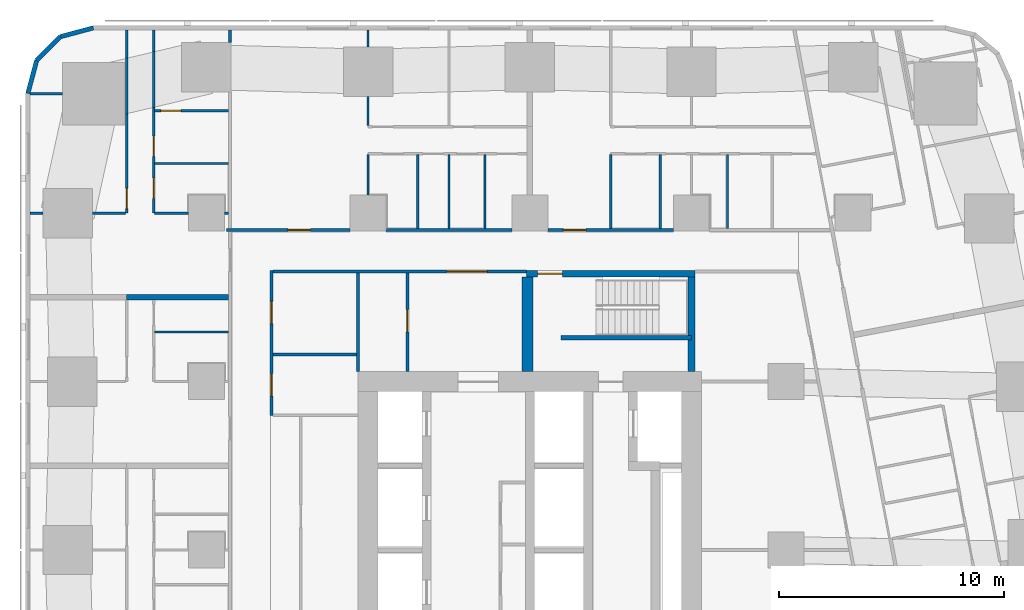
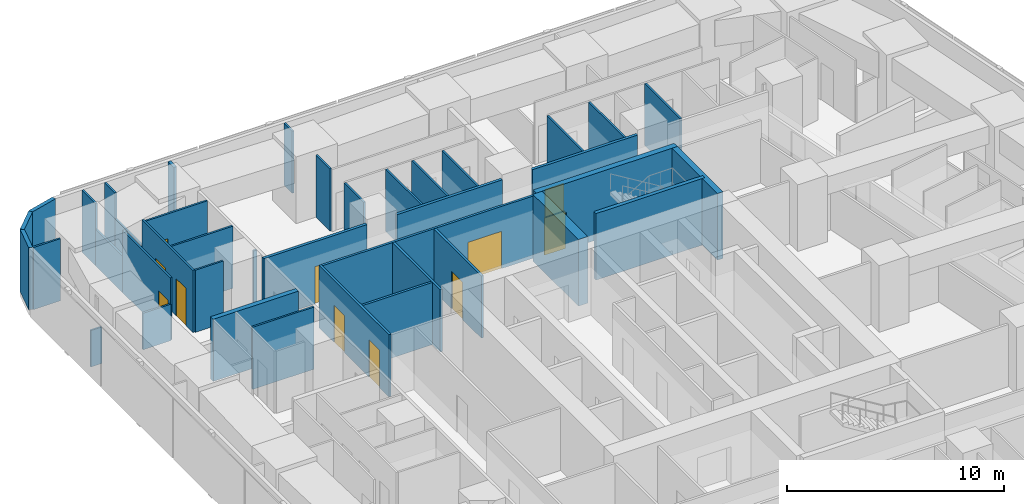
# One storey, part 8 of 15: 40 walls, 11 doors, 11 openings.
"""IFC4 building model written with IfcOpenShell, lengths in metres."""

from ifc_helpers import new_model, si_unit, direction, frame, frame_2d, origin, place, context, subcontext, project, spatial, rectangle, extrude, material, layer, layer_set, type_object, element, fill, save


model = new_model("IFC4")

# Units and contexts
model_context = context("Model", 3, precision=1e-05, world=origin(), true_north=direction((0.0, 1.0)))
body_context = subcontext(model_context, "Body", "Model", "MODEL_VIEW")
ifc_project = project(units=[si_unit("LENGTHUNIT", "METRE"), si_unit("AREAUNIT", "SQUARE_METRE"), si_unit("VOLUMEUNIT", "CUBIC_METRE"), si_unit("PLANEANGLEUNIT", "RADIAN"), si_unit("MASSUNIT", "GRAM", prefix="KILO")], contexts=[model_context])

# Site, building, storey
site_placement = place(None, origin())
site = spatial("IfcSite", under=ifc_project, at=site_placement, CompositionType="ELEMENT")
building_placement = place(site_placement, origin())
building = spatial("IfcBuilding", under=site, at=building_placement, Name="Sheger Commons Tower", CompositionType="ELEMENT")
storey_placement = place(building_placement, frame((0.0, 0.0, 104.14990234375)))
storey = spatial("IfcBuildingStorey", under=building, at=storey_placement, Name="L26", CompositionType="ELEMENT", Elevation=104.14990234375)

# Wall
ifc_material_1 = material(Name="Hollow concrete block masonry, skimmed both sides", Category="masonry")
ifc_layer_1 = layer(ifc_material_1, 0.14990234375)
ifc_layer_set_1 = layer_set([ifc_layer_1], Name="CORRIDOR WALL 150")
wall_type_1 = type_object("IfcWallType", Name="CORRIDOR WALL 150", PredefinedType="SOLIDWALL", material=ifc_layer_set_1)
wall_1_placement = place(storey_placement, frame((8.25, 45.10107421875, 0.0), z_axis=(0.0, 0.0, 1.0), x_axis=(0.0, 1.0, 0.0)))
element("IfcWall", 1, at=wall_1_placement, inside=storey, type_object=wall_type_1, Name="Corridor wall L26", PredefinedType="SOLIDWALL", context=body_context, shape_type="SweptSolid", body=[
    extrude(rectangle(XDim=0.548828125, YDim=0.14990234375, at=frame_2d((0.2744140625, 0.0))), origin(), (0.0, 0.0, 1.0), 3.5),
])

# Wall, opening, door
wall_2_placement = place(storey_placement, frame((8.10009765625, 36.75, 0.0), z_axis=(0.0, 0.0, 1.0), x_axis=(1.0, 0.0, 0.0)))
wall_2 = element("IfcWall", 2, at=wall_2_placement, inside=storey, type_object=wall_type_1, Name="Corridor wall L26", PredefinedType="SOLIDWALL", context=body_context, shape_type="SweptSolid", body=[
    extrude(rectangle(XDim=5.4990234375, YDim=0.14990234375, at=frame_2d((2.74951171875, 0.0))), origin(), (0.0, 0.0, 1.0), 3.5),
])
opening_1_placement = place(wall_2_placement, frame((2.72509765625, 0.0, 0.0)))
opening_1 = element("IfcOpeningElement", 3, at=opening_1_placement, cuts=wall_2, Name="Opening D1", PredefinedType="OPENING", context=body_context, shape_type="SweptSolid", body=[
    extrude(rectangle(XDim=1.0, YDim=2.10009765625, at=frame_2d((0.5, 1.050048828125))), frame((0.0, 0.0849609375, 0.0), z_axis=(0.0, -1.0, 0.0), x_axis=(1.0, 0.0, 0.0)), (0.0, 0.0, 1.0), 0.169921875),
])
ifc_material_2 = material(Name="Steel door set, fire rated", Category="steel")
door_type_1 = type_object("IfcDoorType", Name="FLAT ENTRANCE DOOR 1000x2100", OperationType="NOTDEFINED", PredefinedType="DOOR", material=ifc_material_2)
door_1_placement = place(opening_1_placement, origin())
door_1 = element("IfcDoor", 4, at=door_1_placement, inside=storey, type_object=door_type_1, Name="Flat entrance door", OperationType="SINGLE_SWING_LEFT", OverallHeight=2.10009765625, OverallWidth=1.0, PredefinedType="DOOR", context=body_context, shape_type="SweptSolid", body=[
    extrude(rectangle(XDim=1.0, YDim=2.10009765625, at=frame_2d((0.5, 1.050048828125))), frame((0.0, 0.02490234375, 0.0), z_axis=(0.0, -1.0, 0.0), x_axis=(1.0, 0.0, 0.0)), (0.0, 0.0, 1.0), 0.050048828125),
])
fill(opening_1, door_1)

# Wall
wall_3_placement = place(storey_placement, frame((15.200927734375, 36.75, 0.0), z_axis=(0.0, 0.0, 1.0), x_axis=(1.0, 0.0, 0.0)))
element("IfcWall", 5, at=wall_3_placement, inside=storey, type_object=wall_type_1, Name="Corridor wall L26", PredefinedType="SOLIDWALL", context=body_context, shape_type="SweptSolid", body=[
    extrude(rectangle(XDim=5.59814453125, YDim=0.14990234375, at=frame_2d((2.799072265625, 0.0))), origin(), (0.0, 0.0, 1.0), 3.5),
])

# Wall, opening, door
wall_4_placement = place(storey_placement, frame((22.40087890625, 36.75, 0.0), z_axis=(0.0, 0.0, 1.0), x_axis=(1.0, 0.0, 0.0)))
wall_4 = element("IfcWall", 6, at=wall_4_placement, inside=storey, type_object=wall_type_1, Name="Corridor wall L26", PredefinedType="SOLIDWALL", context=body_context, shape_type="SweptSolid", body=[
    extrude(rectangle(XDim=5.59814453125, YDim=0.14990234375, at=frame_2d((2.799072265625, 0.0))), origin(), (0.0, 0.0, 1.0), 3.5),
])
opening_2_placement = place(wall_4_placement, frame((0.698974609375, 0.0, 0.0)))
opening_2 = element("IfcOpeningElement", 7, at=opening_2_placement, cuts=wall_4, Name="Opening D1", PredefinedType="OPENING", context=body_context, shape_type="SweptSolid", body=[
    extrude(rectangle(XDim=1.0, YDim=2.10009765625, at=frame_2d((0.5, 1.050048828125))), frame((0.0, 0.0849609375, 0.0), z_axis=(0.0, -1.0, 0.0), x_axis=(1.0, 0.0, 0.0)), (0.0, 0.0, 1.0), 0.169921875),
])
door_2_placement = place(opening_2_placement, origin())
door_2 = element("IfcDoor", 8, at=door_2_placement, inside=storey, type_object=door_type_1, Name="Flat entrance door", OperationType="SINGLE_SWING_LEFT", OverallHeight=2.10009765625, OverallWidth=1.0, PredefinedType="DOOR", context=body_context, shape_type="SweptSolid", body=[
    extrude(rectangle(XDim=1.0, YDim=2.10009765625, at=frame_2d((0.5, 1.050048828125))), frame((0.0, 0.02490234375, 0.0), z_axis=(0.0, -1.0, 0.0), x_axis=(1.0, 0.0, 0.0)), (0.0, 0.0, 1.0), 0.050048828125),
])
fill(opening_2, door_2)

# Walls
ifc_material_3 = material(Name="Dense concrete block masonry, plastered both sides (separating wall between flats)", Category="masonry")
ifc_layer_2 = layer(ifc_material_3, 0.25)
ifc_layer_set_2 = layer_set([ifc_layer_2], Name="DEMISING WALL 250")
wall_type_2 = type_object("IfcWallType", Name="DEMISING WALL 250", PredefinedType="SOLIDWALL", material=ifc_layer_set_2)
wall_5_placement = place(storey_placement, frame((3.64990234375, 33.75, 0.0), z_axis=(0.0, 0.0, 1.0), x_axis=(1.0, 0.0, 0.0)))
element("IfcWall", 9, at=wall_5_placement, inside=storey, type_object=wall_type_2, Name="Demising wall L26", PredefinedType="SOLIDWALL", context=body_context, shape_type="SweptSolid", body=[
    extrude(rectangle(XDim=4.525146484375, YDim=0.25, at=frame_2d((2.2626953125, 0.0))), origin(), (0.0, 0.0, 1.0), 3.5),
])
ifc_material_4 = material(Name="Rendered concrete block masonry, dark grey", Category="masonry")
ifc_layer_3 = layer(ifc_material_4, 0.199951171875)
ifc_layer_set_3 = layer_set([ifc_layer_3], Name="FACADE WALL 200")
wall_type_3 = type_object("IfcWallType", Name="FACADE WALL 200", PredefinedType="SOLIDWALL", material=ifc_layer_set_3)
wall_6_placement = place(storey_placement, frame((2.1630859375, 45.75, 0.0), z_axis=(0.0, 0.0, 1.0), x_axis=(-0.965832000415, -0.259168954497, 0.0)))
element("IfcWall", 10, at=wall_6_placement, inside=storey, type_object=wall_type_3, Name="Facade wall L26", PredefinedType="SOLIDWALL", context=body_context, shape_type="SweptSolid", body=[
    extrude(rectangle(XDim=1.512939453125, YDim=0.199951171875, at=frame_2d((0.75634765625, 0.0))), origin(), (0.0, 0.0, 1.0), 3.5),
])
wall_7_placement = place(storey_placement, frame((0.701904296875, 45.35791015625, 0.0), z_axis=(0.0, 0.0, 1.0), x_axis=(-0.707106781187, -0.707106781187, 0.0)))
element("IfcWall", 11, at=wall_7_placement, inside=storey, type_object=wall_type_3, Name="Facade wall L26", PredefinedType="SOLIDWALL", context=body_context, shape_type="SweptSolid", body=[
    extrude(rectangle(XDim=1.498779296875, YDim=0.199951171875, at=frame_2d((0.74951171875, 0.0))), origin(), (0.0, 0.0, 1.0), 3.5),
])
wall_8_placement = place(storey_placement, frame((-0.35791015625, 44.298095703125, 0.0), z_axis=(0.0, 0.0, 1.0), x_axis=(-0.259168954497, -0.965832000415, 0.0)))
element("IfcWall", 12, at=wall_8_placement, inside=storey, type_object=wall_type_3, Name="Facade wall L26", PredefinedType="SOLIDWALL", context=body_context, shape_type="SweptSolid", body=[
    extrude(rectangle(XDim=1.512939453125, YDim=0.199951171875, at=frame_2d((0.75634765625, 0.0))), origin(), (0.0, 0.0, 1.0), 3.5),
])
ifc_material_5 = material(Name="Gypsum board on steel studs", Category="steel")
ifc_layer_4 = layer(ifc_material_5, 0.10009765625)
ifc_layer_set_4 = layer_set([ifc_layer_4], Name="PARTITION 100")
wall_type_4 = type_object("IfcWallType", Name="PARTITION 100", PredefinedType="PARTITIONING", material=ifc_layer_set_4)
wall_9_placement = place(storey_placement, frame((4.89990234375, 32.2099609375, 0.0), z_axis=(0.0, 0.0, 1.0), x_axis=(1.0, 0.0, 0.0)))
element("IfcWall", 13, at=wall_9_placement, inside=storey, type_object=wall_type_4, Name="Partition L26", PredefinedType="PARTITIONING", context=body_context, shape_type="SweptSolid", body=[
    extrude(rectangle(XDim=3.275146484375, YDim=0.10009765625, at=frame_2d((1.6376953125, 0.0))), origin(), (0.0, 0.0, 1.0), 3.5),
])

# Wall, opening, door
wall_10_placement = place(storey_placement, frame((3.64990234375, 37.5, 0.0), z_axis=(0.0, 0.0, 1.0), x_axis=(0.0, 1.0, 0.0)))
wall_10 = element("IfcWall", 14, at=wall_10_placement, inside=storey, type_object=wall_type_4, Name="Partition L26", PredefinedType="PARTITIONING", context=body_context, shape_type="SweptSolid", body=[
    extrude(rectangle(XDim=4.4150390625, YDim=0.10009765625, at=frame_2d((2.20751953125, 0.0))), origin(), (0.0, 0.0, 1.0), 3.5),
])
opening_3_placement = place(wall_10_placement, frame((0.199951171875, 0.0, 0.0)))
opening_3 = element("IfcOpeningElement", 15, at=opening_3_placement, cuts=wall_10, Name="Opening D2", PredefinedType="OPENING", context=body_context, shape_type="SweptSolid", body=[
    extrude(rectangle(XDim=0.89990234375, YDim=2.10009765625, at=frame_2d((0.449951171875, 1.050048828125))), frame((0.0, 0.06005859375, 0.0), z_axis=(0.0, -1.0, 0.0), x_axis=(1.0, 0.0, 0.0)), (0.0, 0.0, 1.0), 0.1201171875),
])
ifc_material_6 = material(Name="Timber door set", Category="wood")
door_type_2 = type_object("IfcDoorType", Name="INTERNAL DOOR 900x2100", OperationType="NOTDEFINED", PredefinedType="DOOR", material=ifc_material_6)
door_3_placement = place(opening_3_placement, origin())
door_3 = element("IfcDoor", 16, at=door_3_placement, inside=storey, type_object=door_type_2, Name="Main bedroom door", OperationType="SINGLE_SWING_LEFT", OverallHeight=2.10009765625, OverallWidth=0.89990234375, PredefinedType="DOOR", context=body_context, shape_type="SweptSolid", body=[
    extrude(rectangle(XDim=0.89990234375, YDim=2.10009765625, at=frame_2d((0.449951171875, 1.050048828125))), frame((0.0, 0.02490234375, 0.0), z_axis=(0.0, -1.0, 0.0), x_axis=(1.0, 0.0, 0.0)), (0.0, 0.0, 1.0), 0.050048828125),
])
fill(opening_3, door_3)

# Walls
wall_11_placement = place(storey_placement, frame((3.64990234375, 41.9150390625, 0.0), z_axis=(0.0, 0.0, 1.0), x_axis=(0.0, 1.0, 0.0)))
element("IfcWall", 17, at=wall_11_placement, inside=storey, type_object=wall_type_4, Name="Partition L26", PredefinedType="PARTITIONING", context=body_context, shape_type="SweptSolid", body=[
    extrude(rectangle(XDim=2.489990234375, YDim=0.10009765625, at=frame_2d((1.2451171875, 0.0))), origin(), (0.0, 0.0, 1.0), 2.050048828125),
])
wall_12_placement = place(storey_placement, frame((3.64990234375, 44.405029296875, 0.0), z_axis=(0.0, 0.0, 1.0), x_axis=(0.0, 1.0, 0.0)))
element("IfcWall", 18, at=wall_12_placement, inside=storey, type_object=wall_type_4, Name="Partition L26", PredefinedType="PARTITIONING", context=body_context, shape_type="SweptSolid", body=[
    extrude(rectangle(XDim=1.244873046875, YDim=0.10009765625, at=frame_2d((0.62255859375, 0.0))), origin(), (0.0, 0.0, 1.0), 3.5),
])

# Wall, openings, doors
wall_13_placement = place(storey_placement, frame((4.85009765625, 37.5, 0.0), z_axis=(0.0, 0.0, 1.0), x_axis=(0.0, 1.0, 0.0)))
wall_13 = element("IfcWall", 19, at=wall_13_placement, inside=storey, type_object=wall_type_4, Name="Partition L26", PredefinedType="PARTITIONING", context=body_context, shape_type="SweptSolid", body=[
    extrude(rectangle(XDim=4.698974609375, YDim=0.10009765625, at=frame_2d((2.349609375, 0.0))), origin(), (0.0, 0.0, 1.0), 3.5),
])
opening_4_placement = place(wall_13_placement, frame((0.655029296875, 0.0, 0.0)))
opening_4 = element("IfcOpeningElement", 20, at=opening_4_placement, cuts=wall_13, Name="Opening D2", PredefinedType="OPENING", context=body_context, shape_type="SweptSolid", body=[
    extrude(rectangle(XDim=0.89990234375, YDim=2.10009765625, at=frame_2d((0.449951171875, 1.050048828125))), frame((0.0, 0.06005859375, 0.0), z_axis=(0.0, -1.0, 0.0), x_axis=(1.0, 0.0, 0.0)), (0.0, 0.0, 1.0), 0.1201171875),
])
opening_5_placement = place(wall_13_placement, frame((2.530029296875, 0.0, 0.0)))
opening_5 = element("IfcOpeningElement", 21, at=opening_5_placement, cuts=wall_13, Name="Opening D2", PredefinedType="OPENING", context=body_context, shape_type="SweptSolid", body=[
    extrude(rectangle(XDim=0.89990234375, YDim=2.10009765625, at=frame_2d((0.449951171875, 1.050048828125))), frame((0.0, 0.06005859375, 0.0), z_axis=(0.0, -1.0, 0.0), x_axis=(1.0, 0.0, 0.0)), (0.0, 0.0, 1.0), 0.1201171875),
])
door_4_placement = place(opening_4_placement, origin())
door_4 = element("IfcDoor", 22, at=door_4_placement, inside=storey, type_object=door_type_2, Name="Bathroom door", OperationType="SINGLE_SWING_RIGHT", OverallHeight=2.10009765625, OverallWidth=0.89990234375, PredefinedType="DOOR", context=body_context, shape_type="SweptSolid", body=[
    extrude(rectangle(XDim=0.89990234375, YDim=2.10009765625, at=frame_2d((0.449951171875, 1.050048828125))), frame((0.0, 0.02490234375, 0.0), z_axis=(0.0, -1.0, 0.0), x_axis=(1.0, 0.0, 0.0)), (0.0, 0.0, 1.0), 0.050048828125),
])
fill(opening_4, door_4)
door_5_placement = place(opening_5_placement, origin())
door_5 = element("IfcDoor", 23, at=door_5_placement, inside=storey, type_object=door_type_2, Name="Store door", OperationType="SINGLE_SWING_RIGHT", OverallHeight=2.10009765625, OverallWidth=0.89990234375, PredefinedType="DOOR", context=body_context, shape_type="SweptSolid", body=[
    extrude(rectangle(XDim=0.89990234375, YDim=2.10009765625, at=frame_2d((0.449951171875, 1.050048828125))), frame((0.0, 0.02490234375, 0.0), z_axis=(0.0, -1.0, 0.0), x_axis=(1.0, 0.0, 0.0)), (0.0, 0.0, 1.0), 0.050048828125),
])
fill(opening_5, door_5)

# Walls
wall_14_placement = place(storey_placement, frame((4.85009765625, 42.198974609375, 0.0), z_axis=(0.0, 0.0, 1.0), x_axis=(0.0, 1.0, 0.0)))
element("IfcWall", 24, at=wall_14_placement, inside=storey, type_object=wall_type_4, Name="Partition L26", PredefinedType="PARTITIONING", context=body_context, shape_type="SweptSolid", body=[
    extrude(rectangle(XDim=2.489990234375, YDim=0.10009765625, at=frame_2d((1.2451171875, 0.0))), origin(), (0.0, 0.0, 1.0), 2.050048828125),
])
wall_15_placement = place(storey_placement, frame((4.85009765625, 44.68896484375, 0.0), z_axis=(0.0, 0.0, 1.0), x_axis=(0.0, 1.0, 0.0)))
element("IfcWall", 25, at=wall_15_placement, inside=storey, type_object=wall_type_4, Name="Partition L26", PredefinedType="PARTITIONING", context=body_context, shape_type="SweptSolid", body=[
    extrude(rectangle(XDim=0.9609375, YDim=0.10009765625, at=frame_2d((0.48046875, 0.0))), origin(), (0.0, 0.0, 1.0), 3.5),
])
wall_16_placement = place(storey_placement, frame((-0.64990234375, 37.5, 0.0), z_axis=(0.0, 0.0, 1.0), x_axis=(1.0, 0.0, 0.0)))
element("IfcWall", 26, at=wall_16_placement, inside=storey, type_object=wall_type_4, Name="Partition L26", PredefinedType="PARTITIONING", context=body_context, shape_type="SweptSolid", body=[
    extrude(rectangle(XDim=0.573974609375, YDim=0.10009765625, at=frame_2d((0.287109375, 0.0))), origin(), (0.0, 0.0, 1.0), 2.050048828125),
])
wall_17_placement = place(storey_placement, frame((2.1259765625, 37.5, 0.0), z_axis=(0.0, 0.0, 1.0), x_axis=(1.0, 0.0, 0.0)))
element("IfcWall", 27, at=wall_17_placement, inside=storey, type_object=wall_type_4, Name="Partition L26", PredefinedType="PARTITIONING", context=body_context, shape_type="SweptSolid", body=[
    extrude(rectangle(XDim=1.47412109375, YDim=0.10009765625, at=frame_2d((0.737060546875, 0.0))), origin(), (0.0, 0.0, 1.0), 2.050048828125),
])
wall_18_placement = place(storey_placement, frame((-0.64990234375, 42.81396484375, 0.0), z_axis=(0.0, 0.0, 1.0), x_axis=(1.0, 0.0, 0.0)))
element("IfcWall", 28, at=wall_18_placement, inside=storey, type_object=wall_type_4, Name="Partition L26", PredefinedType="PARTITIONING", context=body_context, shape_type="SweptSolid", body=[
    extrude(rectangle(XDim=1.434814453125, YDim=0.10009765625, at=frame_2d((0.71728515625, 0.0))), origin(), (0.0, 0.0, 1.0), 3.5),
])
wall_19_placement = place(storey_placement, frame((4.89990234375, 37.5, 0.0), z_axis=(0.0, 0.0, 1.0), x_axis=(1.0, 0.0, 0.0)))
element("IfcWall", 29, at=wall_19_placement, inside=storey, type_object=wall_type_4, Name="Partition L26", PredefinedType="PARTITIONING", context=body_context, shape_type="SweptSolid", body=[
    extrude(rectangle(XDim=1.4990234375, YDim=0.10009765625, at=frame_2d((0.74951171875, 0.0))), origin(), (0.0, 0.0, 1.0), 3.5),
])
wall_20_placement = place(storey_placement, frame((8.0009765625, 37.5, 0.0), z_axis=(0.0, 0.0, 1.0), x_axis=(1.0, 0.0, 0.0)))
element("IfcWall", 30, at=wall_20_placement, inside=storey, type_object=wall_type_4, Name="Partition L26", PredefinedType="PARTITIONING", context=body_context, shape_type="SweptSolid", body=[
    extrude(rectangle(XDim=0.174072265625, YDim=0.10009765625, at=frame_2d((0.0869140625, 0.0))), origin(), (0.0, 0.0, 1.0), 3.5),
])
wall_21_placement = place(storey_placement, frame((4.89990234375, 39.7099609375, 0.0), z_axis=(0.0, 0.0, 1.0), x_axis=(1.0, 0.0, 0.0)))
element("IfcWall", 31, at=wall_21_placement, inside=storey, type_object=wall_type_4, Name="Partition L26", PredefinedType="PARTITIONING", context=body_context, shape_type="SweptSolid", body=[
    extrude(rectangle(XDim=3.275146484375, YDim=0.10009765625, at=frame_2d((1.6376953125, 0.0))), origin(), (0.0, 0.0, 1.0), 3.5),
])
wall_22_placement = place(storey_placement, frame((14.39990234375, 41.39990234375, 0.0), z_axis=(0.0, 0.0, 1.0), x_axis=(0.0, 1.0, 0.0)))
element("IfcWall", 32, at=wall_22_placement, inside=storey, type_object=wall_type_4, Name="Partition L26", PredefinedType="PARTITIONING", context=body_context, shape_type="SweptSolid", body=[
    extrude(rectangle(XDim=1.299072265625, YDim=0.10009765625, at=frame_2d((0.6494140625, 0.0))), origin(), (0.0, 0.0, 1.0), 3.5),
])
wall_23_placement = place(storey_placement, frame((14.39990234375, 44.90087890625, 0.0), z_axis=(0.0, 0.0, 1.0), x_axis=(0.0, 1.0, 0.0)))
element("IfcWall", 33, at=wall_23_placement, inside=storey, type_object=wall_type_4, Name="Partition L26", PredefinedType="PARTITIONING", context=body_context, shape_type="SweptSolid", body=[
    extrude(rectangle(XDim=0.7490234375, YDim=0.10009765625, at=frame_2d((0.37451171875, 0.0))), origin(), (0.0, 0.0, 1.0), 3.5),
])
wall_24_placement = place(storey_placement, frame((14.39990234375, 38.301025390625, 0.0), z_axis=(0.0, 0.0, 1.0), x_axis=(0.0, 1.0, 0.0)))
element("IfcWall", 34, at=wall_24_placement, inside=storey, type_object=wall_type_4, Name="Partition L26", PredefinedType="PARTITIONING", context=body_context, shape_type="SweptSolid", body=[
    extrude(rectangle(XDim=1.799072265625, YDim=0.10009765625, at=frame_2d((0.8994140625, 0.0))), origin(), (0.0, 0.0, 1.0), 3.5),
])
for number, where, z_axis, x_axis, name in (
    (35, (18.0, 36.824951171875, 0.0), (0.0, 0.0, 1.0), (0.0, 1.0, 0.0), "Partition L26"),
    (36, (16.610107421875, 36.824951171875, 0.0), (0.0, 0.0, 1.0), (0.0, 1.0, 0.0), "Partition L26"),
    (37, (19.60009765625, 36.824951171875, 0.0), (0.0, 0.0, 1.0), (0.0, 1.0, 0.0), "Partition L26"),
    (38, (25.199951171875, 36.824951171875, 0.0), (0.0, 0.0, 1.0), (0.0, 1.0, 0.0), "Partition L26"),
    (39, (27.409912109375, 36.824951171875, 0.0), (0.0, 0.0, 1.0), (0.0, 1.0, 0.0), "Partition L26"),
    (40, (30.39990234375, 36.824951171875, 0.0), (0.0, 0.0, 1.0), (0.0, 1.0, 0.0), "Partition L26"),
):
    element("IfcWall", number, at=place(storey_placement, frame(where, z_axis=z_axis, x_axis=x_axis)), inside=storey, type_object=wall_type_4, Name=name, PredefinedType="PARTITIONING", context=body_context, shape_type="SweptSolid", body=[
        extrude(rectangle(XDim=3.275146484375, YDim=0.10009765625, at=frame_2d((1.6376953125, 0.0))), origin(), (0.0, 0.0, 1.0), 3.5),
    ])

# Wall, opening, door
wall_25_placement = place(storey_placement, frame((8.175048828125, 42.06005859375, 0.0), z_axis=(0.0, 0.0, 1.0), x_axis=(-1.0, 0.0, 0.0)))
wall_25 = element("IfcWall", 41, at=wall_25_placement, inside=storey, type_object=wall_type_4, Name="Partition L26", PredefinedType="PARTITIONING", context=body_context, shape_type="SweptSolid", body=[
    extrude(rectangle(XDim=3.275146484375, YDim=0.10009765625, at=frame_2d((1.6376953125, 0.0))), origin(), (0.0, 0.0, 1.0), 3.5),
])
opening_6_placement = place(wall_25_placement, frame((2.10009765625, 0.0, 0.0)))
opening_6 = element("IfcOpeningElement", 42, at=opening_6_placement, cuts=wall_25, Name="Opening D2", PredefinedType="OPENING", context=body_context, shape_type="SweptSolid", body=[
    extrude(rectangle(XDim=0.89990234375, YDim=2.10009765625, at=frame_2d((0.449951171875, 1.050048828125))), frame((0.0, 0.06005859375, 0.0), z_axis=(0.0, -1.0, 0.0), x_axis=(1.0, 0.0, 0.0)), (0.0, 0.0, 1.0), 0.1201171875),
])
door_6_placement = place(opening_6_placement, origin())
door_6 = element("IfcDoor", 43, at=door_6_placement, inside=storey, type_object=door_type_2, Name="Store door", OperationType="SINGLE_SWING_LEFT", OverallHeight=2.10009765625, OverallWidth=0.89990234375, PredefinedType="DOOR", context=body_context, shape_type="SweptSolid", body=[
    extrude(rectangle(XDim=0.89990234375, YDim=2.10009765625, at=frame_2d((0.449951171875, 1.050048828125))), frame((0.0, 0.02490234375, 0.0), z_axis=(0.0, -1.0, 0.0), x_axis=(1.0, 0.0, 0.0)), (0.0, 0.0, 1.0), 0.050048828125),
])
fill(opening_6, door_6)

# Wall, openings, doors
ifc_material_7 = material(Name="Gypsum board on steel studs, two layers each side, fire rated", Category="steel")
ifc_layer_5 = layer(ifc_material_7, 0.125)
ifc_layer_set_5 = layer_set([ifc_layer_5], Name="SERVICE WALL 125")
wall_type_5 = type_object("IfcWallType", Name="SERVICE WALL 125", PredefinedType="PARTITIONING", material=ifc_layer_set_5)
wall_26_placement = place(storey_placement, frame((10.10009765625, 28.5, 0.0), z_axis=(0.0, 0.0, 1.0), x_axis=(0.0, 1.0, 0.0)))
wall_26 = element("IfcWall", 44, at=wall_26_placement, inside=storey, type_object=wall_type_5, Name="Service room wall L26", PredefinedType="PARTITIONING", context=body_context, shape_type="SweptSolid", body=[
    extrude(rectangle(XDim=6.449951171875, YDim=0.125, at=frame_2d((3.22509765625, 0.0))), origin(), (0.0, 0.0, 1.0), 3.5),
])
opening_7_placement = place(wall_26_placement, frame((0.85009765625, 0.0, 0.0)))
opening_7 = element("IfcOpeningElement", 45, at=opening_7_placement, cuts=wall_26, Name="Opening D4", PredefinedType="OPENING", context=body_context, shape_type="SweptSolid", body=[
    extrude(rectangle(XDim=1.0, YDim=2.10009765625, at=frame_2d((0.5, 1.050048828125))), frame((0.0, 0.072509765625, 0.0), z_axis=(0.0, -1.0, 0.0), x_axis=(1.0, 0.0, 0.0)), (0.0, 0.0, 1.0), 0.14501953125),
])
opening_8_placement = place(wall_26_placement, frame((4.074951171875, 0.0, 0.0)))
opening_8 = element("IfcOpeningElement", 46, at=opening_8_placement, cuts=wall_26, Name="Opening D4", PredefinedType="OPENING", context=body_context, shape_type="SweptSolid", body=[
    extrude(rectangle(XDim=1.0, YDim=2.10009765625, at=frame_2d((0.5, 1.050048828125))), frame((0.0, 0.072509765625, 0.0), z_axis=(0.0, -1.0, 0.0), x_axis=(1.0, 0.0, 0.0)), (0.0, 0.0, 1.0), 0.14501953125),
])
ifc_material_8 = material(Name="Steel door set, fire rated", Category="steel")
door_type_3 = type_object("IfcDoorType", Name="SERVICE DOOR 1000x2100", OperationType="NOTDEFINED", PredefinedType="DOOR", material=ifc_material_8)
door_7_placement = place(opening_7_placement, origin())
door_7 = element("IfcDoor", 47, at=door_7_placement, inside=storey, type_object=door_type_3, Name="Cleaner's store door", OperationType="SINGLE_SWING_RIGHT", OverallHeight=2.10009765625, OverallWidth=1.0, PredefinedType="DOOR", context=body_context, shape_type="SweptSolid", body=[
    extrude(rectangle(XDim=1.0, YDim=2.10009765625, at=frame_2d((0.5, 1.050048828125))), frame((0.0, 0.02490234375, 0.0), z_axis=(0.0, -1.0, 0.0), x_axis=(1.0, 0.0, 0.0)), (0.0, 0.0, 1.0), 0.050048828125),
])
fill(opening_7, door_7)
door_8_placement = place(opening_8_placement, origin())
door_8 = element("IfcDoor", 48, at=door_8_placement, inside=storey, type_object=door_type_3, Name="Linen store door", OperationType="SINGLE_SWING_LEFT", OverallHeight=2.10009765625, OverallWidth=1.0, PredefinedType="DOOR", context=body_context, shape_type="SweptSolid", body=[
    extrude(rectangle(XDim=1.0, YDim=2.10009765625, at=frame_2d((0.5, 1.050048828125))), frame((0.0, 0.02490234375, 0.0), z_axis=(0.0, -1.0, 0.0), x_axis=(1.0, 0.0, 0.0)), (0.0, 0.0, 1.0), 0.050048828125),
])
fill(opening_8, door_8)

# Walls
wall_27_placement = place(storey_placement, frame((10.1630859375, 31.199951171875, 0.0), z_axis=(0.0, 0.0, 1.0), x_axis=(1.0, 0.0, 0.0)))
element("IfcWall", 49, at=wall_27_placement, inside=storey, type_object=wall_type_5, Name="Service room wall L26", PredefinedType="PARTITIONING", context=body_context, shape_type="SweptSolid", body=[
    extrude(rectangle(XDim=3.724853515625, YDim=0.125, at=frame_2d((1.8623046875, 0.0))), origin(), (0.0, 0.0, 1.0), 3.5),
])
wall_28_placement = place(storey_placement, frame((13.949951171875, 30.449951171875, 0.0), z_axis=(0.0, 0.0, 1.0), x_axis=(0.0, 1.0, 0.0)))
element("IfcWall", 50, at=wall_28_placement, inside=storey, type_object=wall_type_5, Name="Service room wall L26", PredefinedType="PARTITIONING", context=body_context, shape_type="SweptSolid", body=[
    extrude(rectangle(XDim=4.386962890625, YDim=0.125, at=frame_2d((2.193359375, 0.0))), origin(), (0.0, 0.0, 1.0), 3.5),
])

# Wall, opening, door
wall_29_placement = place(storey_placement, frame((10.1630859375, 34.89990234375, 0.0), z_axis=(0.0, 0.0, 1.0), x_axis=(1.0, 0.0, 0.0)))
wall_29 = element("IfcWall", 51, at=wall_29_placement, inside=storey, type_object=wall_type_5, Name="Service room wall L26", PredefinedType="PARTITIONING", context=body_context, shape_type="SweptSolid", body=[
    extrude(rectangle(XDim=11.286865234375, YDim=0.125, at=frame_2d((5.6435546875, 0.0))), origin(), (0.0, 0.0, 1.0), 3.5),
])
opening_9_placement = place(wall_29_placement, frame((7.737060546875, 0.0, 0.0)))
opening_9 = element("IfcOpeningElement", 52, at=opening_9_placement, cuts=wall_29, Name="Opening D6", PredefinedType="OPENING", context=body_context, shape_type="SweptSolid", body=[
    extrude(rectangle(XDim=1.800048828125, YDim=2.10009765625, at=frame_2d((0.89990234375, 1.050048828125))), frame((0.0, 0.072509765625, 0.0), z_axis=(0.0, -1.0, 0.0), x_axis=(1.0, 0.0, 0.0)), (0.0, 0.0, 1.0), 0.14501953125),
])
ifc_material_9 = material(Name="Steel door set, fire rated", Category="steel")
door_type_4 = type_object("IfcDoorType", Name="LOBBY DOUBLE DOOR 1800x2100", OperationType="DOUBLE_DOOR_SINGLE_SWING", PredefinedType="DOOR", material=ifc_material_9)
door_9_placement = place(opening_9_placement, origin())
door_9 = element("IfcDoor", 53, at=door_9_placement, inside=storey, type_object=door_type_4, Name="Lift lobby north door", OperationType="DOUBLE_DOOR_SINGLE_SWING", OverallHeight=2.10009765625, OverallWidth=1.800048828125, PredefinedType="DOOR", context=body_context, shape_type="SweptSolid", body=[
    extrude(rectangle(XDim=1.800048828125, YDim=2.10009765625, at=frame_2d((0.89990234375, 1.050048828125))), frame((0.0, 0.02490234375, 0.0), z_axis=(0.0, -1.0, 0.0), x_axis=(1.0, 0.0, 0.0)), (0.0, 0.0, 1.0), 0.050048828125),
])
fill(opening_9, door_9)

wall_30_placement = place(storey_placement, frame((16.14990234375, 30.449951171875, 0.0), z_axis=(0.0, 0.0, 1.0), x_axis=(0.0, 1.0, 0.0)))
wall_30 = element("IfcWall", 54, at=wall_30_placement, inside=storey, type_object=wall_type_5, Name="Service room wall L26", PredefinedType="PARTITIONING", context=body_context, shape_type="SweptSolid", body=[
    extrude(rectangle(XDim=4.386962890625, YDim=0.125, at=frame_2d((2.193359375, 0.0))), origin(), (0.0, 0.0, 1.0), 3.5),
])
opening_10_placement = place(wall_30_placement, frame((1.75, 0.0, 0.0)))
opening_10 = element("IfcOpeningElement", 55, at=opening_10_placement, cuts=wall_30, Name="Opening D4", PredefinedType="OPENING", context=body_context, shape_type="SweptSolid", body=[
    extrude(rectangle(XDim=1.0, YDim=2.10009765625, at=frame_2d((0.5, 1.050048828125))), frame((0.0, 0.072509765625, 0.0), z_axis=(0.0, -1.0, 0.0), x_axis=(1.0, 0.0, 0.0)), (0.0, 0.0, 1.0), 0.14501953125),
])
door_10_placement = place(opening_10_placement, origin())
door_10 = element("IfcDoor", 56, at=door_10_placement, inside=storey, type_object=door_type_3, Name="Telecom room door", OperationType="SINGLE_SWING_RIGHT", OverallHeight=2.10009765625, OverallWidth=1.0, PredefinedType="DOOR", context=body_context, shape_type="SweptSolid", body=[
    extrude(rectangle(XDim=1.0, YDim=2.10009765625, at=frame_2d((0.5, 1.050048828125))), frame((0.0, 0.02490234375, 0.0), z_axis=(0.0, -1.0, 0.0), x_axis=(1.0, 0.0, 0.0)), (0.0, 0.0, 1.0), 0.050048828125),
])
fill(opening_10, door_10)

ifc_material_10 = material(Name="Concrete C50/60", Category="concrete")
ifc_layer_6 = layer(ifc_material_10, 0.300048828125)
ifc_layer_set_6 = layer_set([ifc_layer_6], Name="STAIR CORE WALL 300")
wall_type_6 = type_object("IfcWallType", Name="STAIR CORE WALL 300", PredefinedType="SHEAR", material=ifc_layer_set_6)
wall_31_placement = place(storey_placement, frame((21.449951171875, 34.800048828125, 0.0), z_axis=(0.0, 0.0, 1.0), x_axis=(1.0, 0.0, 0.0)))
wall_31 = element("IfcWall", 57, at=wall_31_placement, inside=storey, type_object=wall_type_6, Name="STW-L26-S2N", PredefinedType="SHEAR", context=body_context, shape_type="SweptSolid", body=[
    extrude(rectangle(XDim=7.5, YDim=0.300048828125, at=frame_2d((3.75, 0.0))), origin(), (0.0, 0.0, 1.0), 3.75),
])
opening_11_placement = place(wall_31_placement, frame((0.5, 0.0, 0.0)))
opening_11 = element("IfcOpeningElement", 58, at=opening_11_placement, cuts=wall_31, Name="Opening D5", PredefinedType="OPENING", context=body_context, shape_type="SweptSolid", body=[
    extrude(rectangle(XDim=1.10009765625, YDim=2.10009765625, at=frame_2d((0.550048828125, 1.050048828125))), frame((0.0, 0.159912109375, 0.0), z_axis=(0.0, -1.0, 0.0), x_axis=(1.0, 0.0, 0.0)), (0.0, 0.0, 1.0), 0.320068359375),
])
ifc_material_11 = material(Name="Steel door set, fire rated", Category="steel")
door_type_5 = type_object("IfcDoorType", Name="STAIR DOOR 1100x2100", OperationType="NOTDEFINED", PredefinedType="DOOR", material=ifc_material_11)
door_11_placement = place(opening_11_placement, origin())
door_11 = element("IfcDoor", 59, at=door_11_placement, inside=storey, type_object=door_type_5, Name="Stair S2 door", OperationType="SINGLE_SWING_RIGHT", OverallHeight=2.10009765625, OverallWidth=1.10009765625, PredefinedType="DOOR", context=body_context, shape_type="SweptSolid", body=[
    extrude(rectangle(XDim=1.10009765625, YDim=2.10009765625, at=frame_2d((0.550048828125, 1.050048828125))), frame((0.0, 0.02490234375, 0.0), z_axis=(0.0, -1.0, 0.0), x_axis=(1.0, 0.0, 0.0)), (0.0, 0.0, 1.0), 0.050048828125),
])
fill(opening_11, door_11)

# Walls
wall_32_placement = place(storey_placement, frame((28.800048828125, 30.449951171875, 0.0), z_axis=(0.0, 0.0, 1.0), x_axis=(0.0, 1.0, 0.0)))
element("IfcWall", 60, at=wall_32_placement, inside=storey, type_object=wall_type_6, Name="STW-L26-S2E", PredefinedType="SHEAR", context=body_context, shape_type="SweptSolid", body=[
    extrude(rectangle(XDim=4.199951171875, YDim=0.300048828125, at=frame_2d((2.10009765625, 0.0))), origin(), (0.0, 0.0, 1.0), 3.75),
])
ifc_material_12 = material(Name="Concrete C50/60", Category="concrete")
ifc_layer_7 = layer(ifc_material_12, 0.5)
ifc_layer_set_7 = layer_set([ifc_layer_7], Name="STAIR CORE WALL 500")
wall_type_7 = type_object("IfcWallType", Name="STAIR CORE WALL 500", PredefinedType="SHEAR", material=ifc_layer_set_7)
wall_33_placement = place(storey_placement, frame((21.5, 30.449951171875, 0.0), z_axis=(0.0, 0.0, 1.0), x_axis=(0.0, 1.0, 0.0)))
element("IfcWall", 61, at=wall_33_placement, inside=storey, type_object=wall_type_7, Name="STW-L26-S2W", PredefinedType="SHEAR", context=body_context, shape_type="SweptSolid", body=[
    extrude(rectangle(XDim=4.199951171875, YDim=0.5, at=frame_2d((2.10009765625, 0.0))), origin(), (0.0, 0.0, 1.0), 3.75),
])
ifc_material_13 = material(Name="Concrete C50/60", Category="concrete")
ifc_layer_8 = layer(ifc_material_13, 0.199951171875)
ifc_layer_set_8 = layer_set([ifc_layer_8], Name="STAIR SPINE WALL 200")
wall_type_8 = type_object("IfcWallType", Name="STAIR SPINE WALL 200", PredefinedType="SHEAR", material=ifc_layer_set_8)
wall_34_placement = place(storey_placement, frame((23.0, 31.949951171875, 0.0), z_axis=(0.0, 0.0, 1.0), x_axis=(1.0, 0.0, 0.0)))
element("IfcWall", 62, at=wall_34_placement, inside=storey, type_object=wall_type_8, Name="Stair spine wall L26", PredefinedType="SHEAR", context=body_context, shape_type="SweptSolid", body=[
    extrude(rectangle(XDim=5.800048828125, YDim=0.199951171875, at=frame_2d((2.89990234375, 0.0))), origin(), (0.0, 0.0, 1.0), 3.75),
])

save(model, "model.ifc")
